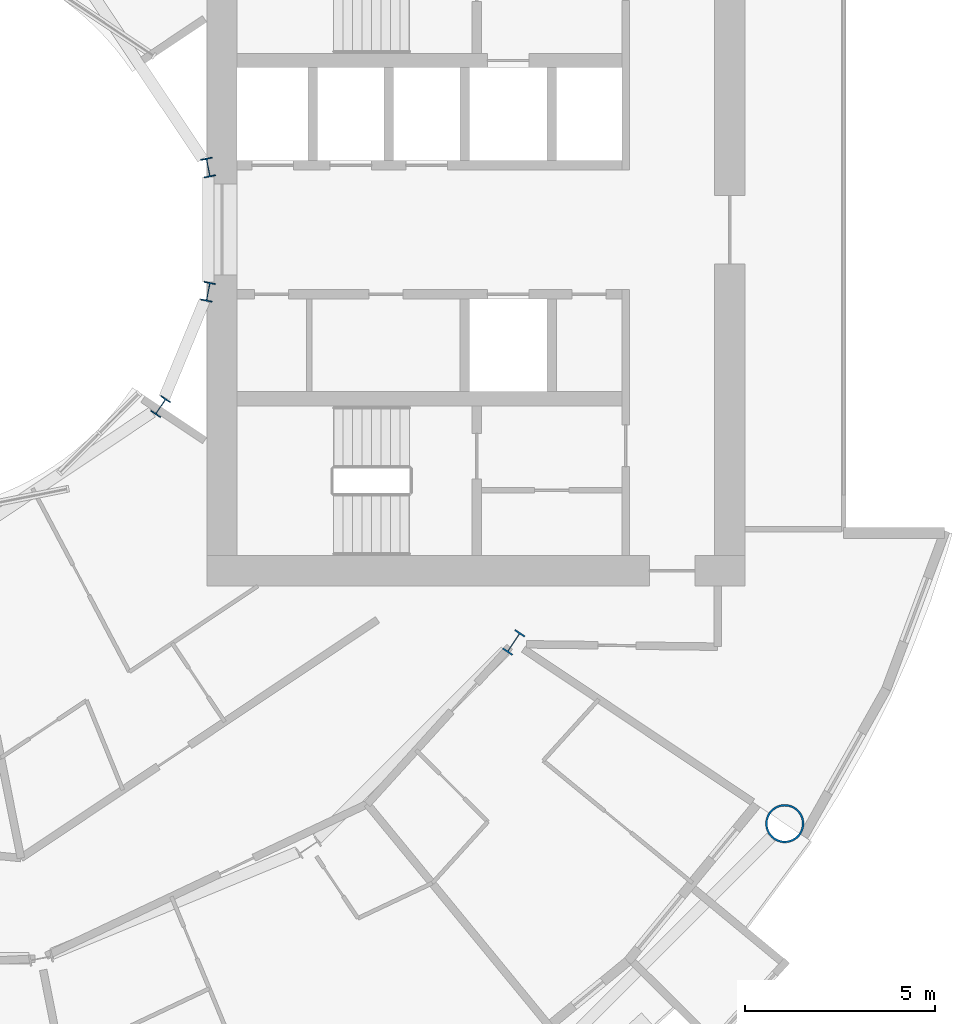
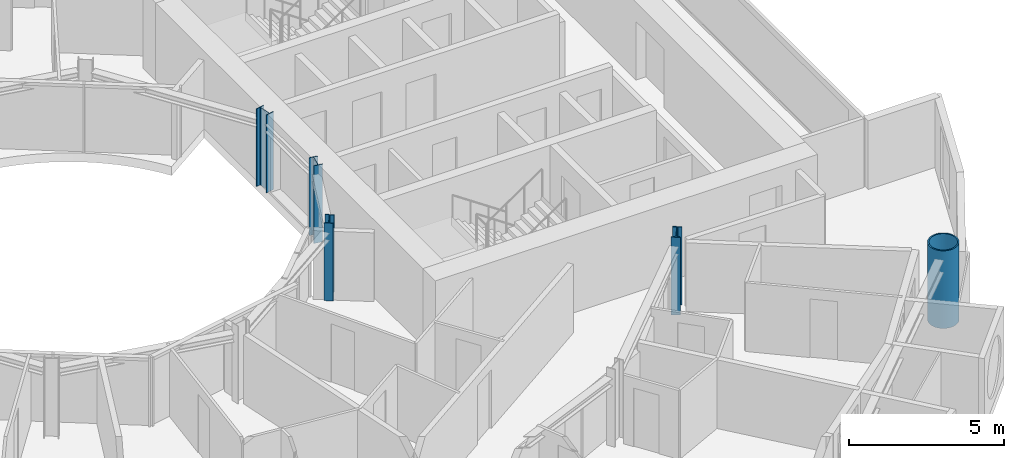
# One storey, part 2 of 26: 5 columns.
"""IFC4 building model written with IfcOpenShell, lengths in metres."""

from ifc_helpers import new_model, si_unit, direction, frame, origin, origin_2d, place, context, subcontext, project, spatial, hollow_circle, i_section, extrude, material, material_profile, profile_set, type_object, element, save


model = new_model("IFC4")

# Units and contexts
model_context = context("Model", 3, precision=1e-05, world=origin(), true_north=direction((0.0, 1.0)))
body_context = subcontext(model_context, "Body", "Model", "MODEL_VIEW")
ifc_project = project(units=[si_unit("LENGTHUNIT", "METRE"), si_unit("AREAUNIT", "SQUARE_METRE"), si_unit("VOLUMEUNIT", "CUBIC_METRE"), si_unit("PLANEANGLEUNIT", "RADIAN"), si_unit("MASSUNIT", "GRAM", prefix="KILO")], contexts=[model_context])

# Site, building, storey
site_placement = place(None, origin())
site = spatial("IfcSite", under=ifc_project, at=site_placement, CompositionType="ELEMENT")
building_placement = place(site_placement, origin())
building = spatial("IfcBuilding", under=site, at=building_placement, Name="Maasbend Ring Residences", CompositionType="ELEMENT")
storey_placement = place(building_placement, frame((0.0, 0.0, 25.85009765625)))
storey = spatial("IfcBuildingStorey", under=building, at=storey_placement, Name="L06", CompositionType="ELEMENT", Elevation=25.85009765625)

# Columns
ifc_material_1 = material(Name="Composite concrete-filled steel tube S460NH / C80/95", Category="concrete")
ifc_material_profile_1 = material_profile(ifc_material_1, hollow_circle(Radius=0.508056640625, WallThickness=0.050048828125, at=origin_2d()), Name="Composite tube column CHS 1016x50")
ifc_profile_set_1 = profile_set([ifc_material_profile_1], Name="Composite concrete-filled steel tube S460NH / C80/95")
column_type_1 = type_object("IfcColumnType", Name="Composite tube column CHS 1016x50", PredefinedType="COLUMN", material=ifc_profile_set_1)
column_1_placement = place(storey_placement, frame((23.447509765625, -15.6669921875, 0.0), z_axis=(0.0, 0.0, 1.0), x_axis=(1.0, 0.0, 0.0)))
element("IfcColumn", 1, at=column_1_placement, inside=storey, type_object=column_type_1, Name="Outer column R15", PredefinedType="COLUMN", context=body_context, shape_type="SweptSolid", body=[
    extrude(hollow_circle(Radius=0.508056640625, WallThickness=0.050048828125, at=origin_2d()), origin(), (0.0, 0.0, 1.0), 3.0498046875),
])
ifc_material_2 = material(Name="Steel S355J2", Category="steel")
ifc_material_profile_2 = material_profile(ifc_material_2, i_section(OverallWidth=0.300048828125, OverallDepth=0.5, WebThickness=0.014404296875, FlangeThickness=0.028076171875, FilletRadius=0.027099609375, at=origin_2d()), Name="HEB 500")
ifc_profile_set_2 = profile_set([ifc_material_profile_2], Name="Steel S355J2")
column_type_2 = type_object("IfcColumnType", Name="Steel column HEB 500", PredefinedType="COLUMN", material=ifc_profile_set_2)
for number, where, z_axis, x_axis, name in (
    (2, (8.238525390625, 1.638916015625, 0.0), (0.0, 0.0, 1.0), (0.980785280403, 0.195090322016, 0.0), "Well ring column R1"),
    (3, (6.984375, -4.666748046875, 0.0), (0.0, 0.0, 1.0), (0.831469612303, -0.55557023302, 0.0), "Well ring column R15"),
    (4, (8.238525390625, -1.638916015625, 0.0), (0.0, 0.0, 1.0), (0.980785280403, -0.195090322016, 0.0), "Well ring column R16"),
):
    element("IfcColumn", number, at=place(storey_placement, frame(where, z_axis=z_axis, x_axis=x_axis)), inside=storey, type_object=column_type_2, Name=name, PredefinedType="COLUMN", context=body_context, shape_type="SweptSolid", body=[
        extrude(i_section(OverallWidth=0.300048828125, OverallDepth=0.5, WebThickness=0.014404296875, FlangeThickness=0.028076171875, FilletRadius=0.027099609375, at=origin_2d()), origin(), (0.0, 0.0, 1.0), 3.0498046875),
    ])
ifc_material_3 = material(Name="Steel S460M", Category="steel")
ifc_material_profile_3 = material_profile(ifc_material_3, i_section(OverallWidth=0.304931640625, OverallDepth=0.6201171875, WebThickness=0.02099609375, FlangeThickness=0.0400390625, FilletRadius=0.027099609375, at=origin_2d()), Name="HEM 600")
ifc_profile_set_3 = profile_set([ifc_material_profile_3], Name="Steel S460M")
column_type_3 = type_object("IfcColumnType", Name="Steel column HEM 600", PredefinedType="COLUMN", material=ifc_profile_set_3)
column_2_placement = place(storey_placement, frame((16.296875, -10.88916015625, 0.0), z_axis=(0.0, 0.0, 1.0), x_axis=(0.831469612303, -0.55557023302, 0.0)))
element("IfcColumn", 5, at=column_2_placement, inside=storey, type_object=column_type_3, Name="Corridor ring column R15", PredefinedType="COLUMN", context=body_context, shape_type="SweptSolid", body=[
    extrude(i_section(OverallWidth=0.304931640625, OverallDepth=0.6201171875, WebThickness=0.02099609375, FlangeThickness=0.0400390625, FilletRadius=0.027099609375, at=origin_2d()), origin(), (0.0, 0.0, 1.0), 3.0498046875),
])

save(model, "model.ifc")
